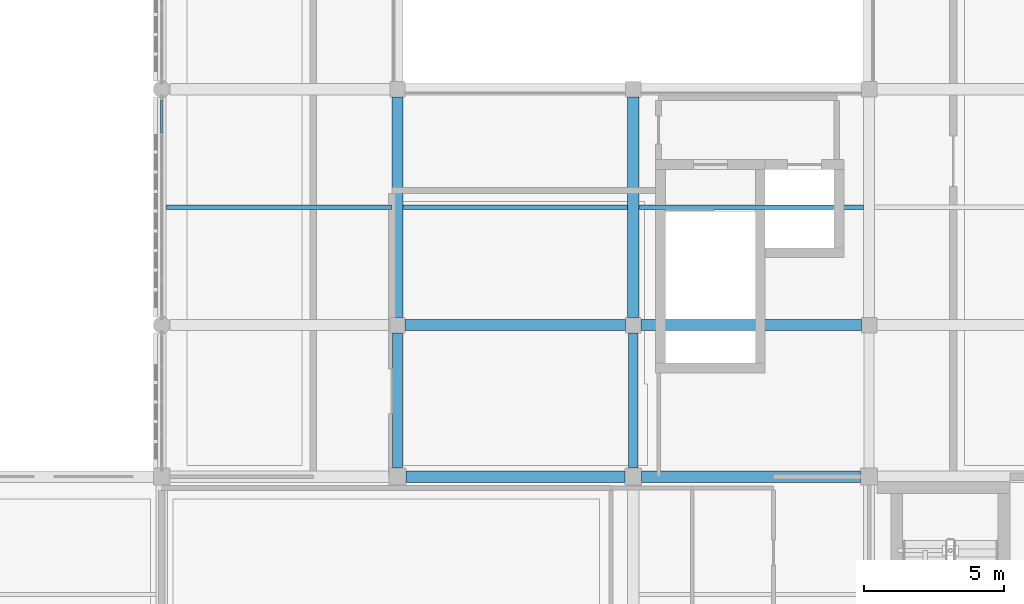
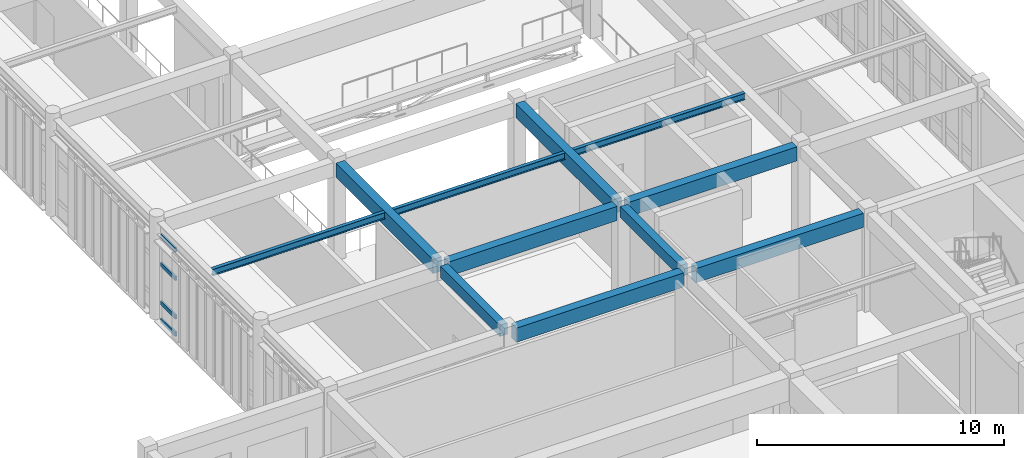
# One storey, part 13 of 77: 11 beams, 4 members, 1 element without a shape of its own.
"""IFC4 building model written with IfcOpenShell, lengths in metres."""

from ifc_helpers import new_model, si_unit, direction, frame, origin, origin_2d, place, context, subcontext, project, spatial, rectangle, hollow_rectangle, i_section, extrude, material, layer, layer_set, material_profile, profile_set, type_object, element, aggregate, save


model = new_model("IFC4")

# Units and contexts
model_context = context("Model", 3, precision=1e-05, world=origin(), true_north=direction((0.0, 1.0)))
body_context = subcontext(model_context, "Body", "Model", "MODEL_VIEW")
ifc_project = project(units=[si_unit("LENGTHUNIT", "METRE"), si_unit("AREAUNIT", "SQUARE_METRE"), si_unit("VOLUMEUNIT", "CUBIC_METRE"), si_unit("PLANEANGLEUNIT", "RADIAN"), si_unit("MASSUNIT", "GRAM", prefix="KILO")], contexts=[model_context])

# Site, building, storey
site_placement = place(None, origin())
site = spatial("IfcSite", under=ifc_project, at=site_placement, CompositionType="ELEMENT")
building_placement = place(site_placement, origin())
building = spatial("IfcBuilding", under=site, at=building_placement, Name="Krzemoval Escarpment Law Courts", CompositionType="ELEMENT")
storey_placement = place(building_placement, frame((0.0, 0.0, 15.300048828125)))
storey = spatial("IfcBuildingStorey", under=building, at=storey_placement, Name="L03", CompositionType="ELEMENT", Elevation=15.300048828125)

# Beams
ifc_material_1 = material(Name="Concrete C40/50", Category="concrete")
ifc_material_profile_1 = material_profile(ifc_material_1, rectangle(XDim=0.35009765625, YDim=0.550048828125, at=origin_2d()), Name="RCB 350x550")
ifc_profile_set_1 = profile_set([ifc_material_profile_1], Name="Concrete C40/50")
beam_type_1 = type_object("IfcBeamType", Name="BM-RC-350x550", PredefinedType="BEAM", material=ifc_profile_set_1)
for number, where, z_axis, x_axis, name in (
    (1, (16.800048828125, 35.699951171875, 4.56494140625), (0.0, 1.0, 0.0), (-1.0, 0.0, 0.0), "Beam FG-L03-2231"),
    (2, (25.199951171875, 35.699951171875, 4.56494140625), (0.0, 1.0, 0.0), (-1.0, 0.0, 0.0), "Beam FG-L03-2243"),
):
    element("IfcBeam", number, at=place(storey_placement, frame(where, z_axis=z_axis, x_axis=x_axis)), inside=storey, type_object=beam_type_1, Name=name, PredefinedType="BEAM", context=body_context, shape_type="SweptSolid", body=[
        extrude(rectangle(XDim=0.35009765625, YDim=0.550048828125, at=origin_2d()), origin(), (0.0, 0.0, 1.0), 4.824951171875),
    ])
ifc_material_2 = material(Name="Concrete C40/50", Category="concrete")
ifc_material_profile_2 = material_profile(ifc_material_2, rectangle(XDim=0.39990234375, YDim=0.699951171875, at=origin_2d()), Name="RCB 400x700")
ifc_profile_set_2 = profile_set([ifc_material_profile_2], Name="Concrete C40/50")
beam_type_2 = type_object("IfcBeamType", Name="BM-RC-400x700", PredefinedType="BEAM", material=ifc_profile_set_2)
beam_1_placement = place(storey_placement, frame((17.10009765625, 35.39990234375, 4.489990234375), z_axis=(1.0, 0.0, 0.0), x_axis=(0.0, 1.0, 0.0)))
element("IfcBeam", 3, at=beam_1_placement, inside=storey, type_object=beam_type_2, Name="Beam FG-L03-2135", PredefinedType="BEAM", context=body_context, shape_type="SweptSolid", body=[
    extrude(rectangle(XDim=0.39990234375, YDim=0.699951171875, at=origin_2d()), origin(), (0.0, 0.0, 1.0), 7.7998046875),
])
beam_2_placement = place(storey_placement, frame((25.5, 35.39990234375, 4.489990234375), z_axis=(1.0, 0.0, 0.0), x_axis=(0.0, 1.0, 0.0)))
element("IfcBeam", 4, at=beam_2_placement, inside=storey, type_object=beam_type_2, Name="Beam FG-L03-2136", PredefinedType="BEAM", context=body_context, shape_type="SweptSolid", body=[
    extrude(rectangle(XDim=0.39990234375, YDim=0.699951171875, at=origin_2d()), origin(), (0.0, 0.0, 1.0), 7.800048828125),
])
beam_3_placement = place(storey_placement, frame((17.074951171875, 40.800048828125, 4.489990234375), z_axis=(1.0, 0.0, 0.0), x_axis=(0.0, 1.0, 0.0)))
element("IfcBeam", 5, at=beam_3_placement, inside=storey, type_object=beam_type_2, Name="Beam FG-L03-2150", PredefinedType="BEAM", context=body_context, shape_type="SweptSolid", body=[
    extrude(rectangle(XDim=0.39990234375, YDim=0.699951171875, at=origin_2d()), origin(), (0.0, 0.0, 1.0), 7.85009765625),
])
beam_4_placement = place(storey_placement, frame((25.47509765625, 40.800048828125, 4.489990234375), z_axis=(1.0, 0.0, 0.0), x_axis=(0.0, 1.0, 0.0)))
element("IfcBeam", 6, at=beam_4_placement, inside=storey, type_object=beam_type_2, Name="Beam FG-L03-2151", PredefinedType="BEAM", context=body_context, shape_type="SweptSolid", body=[
    extrude(rectangle(XDim=0.39990234375, YDim=0.699951171875, at=origin_2d()), origin(), (0.0, 0.0, 1.0), 7.849853515625),
])
for number, where, z_axis, x_axis, name in (
    (7, (16.800048828125, 41.074951171875, 4.489990234375), (0.0, 1.0, 0.0), (-1.0, 0.0, 0.0), "Beam FG-L03-2232"),
    (8, (25.199951171875, 41.074951171875, 4.489990234375), (0.0, 1.0, 0.0), (-1.0, 0.0, 0.0), "Beam FG-L03-2244"),
):
    element("IfcBeam", number, at=place(storey_placement, frame(where, z_axis=z_axis, x_axis=x_axis)), inside=storey, type_object=beam_type_2, Name=name, PredefinedType="BEAM", context=body_context, shape_type="SweptSolid", body=[
        extrude(rectangle(XDim=0.39990234375, YDim=0.699951171875, at=origin_2d()), origin(), (0.0, 0.0, 1.0), 7.85009765625),
    ])

# Curtain wall, members
ifc_material_3 = material(Name="Aluminium 6063-T6", Category="aluminium")
ifc_layer = layer(ifc_material_3, 0.280029296875)
ifc_layer_set = layer_set([ifc_layer], Name="Aluminium 6063-T6")
curtain_wall_type = type_object("IfcCurtainWallType", Name="CW-HALL-5100", PredefinedType="USERDEFINED", material=ifc_layer_set)
curtain_wall_placement = place(storey_placement, origin())
curtain_wall = element("IfcCurtainWall", 9, at=curtain_wall_placement, inside=storey, type_object=curtain_wall_type, Name="Unitised Curtain Wall FCW-L03-097", ObjectType="UNITISED_CURTAIN_WALL", PredefinedType="USERDEFINED")
ifc_material_4 = material(Name="Aluminium 6063-T6", Category="aluminium")
ifc_material_profile_3 = material_profile(ifc_material_4, hollow_rectangle(XDim=0.0849609375, YDim=0.2099609375, WallThickness=0.005615234375, at=origin_2d()), Name="ALU T85x210")
ifc_profile_set_3 = profile_set([ifc_material_profile_3], Name="Aluminium 6063-T6")
member_type = type_object("IfcMemberType", Name="CWT-85x210", PredefinedType="USERDEFINED", material=ifc_profile_set_3)
member_1_placement = place(storey_placement, frame((8.39990234375, 47.642578125, 0.04248046875), z_axis=(0.0, 1.0, 0.0), x_axis=(-1.0, 0.0, 0.0)))
member_1 = element("IfcMember", 10, at=member_1_placement, type_object=member_type, Name="FCW-L03-097 transom 6.1", ObjectType="TRANSOM", PredefinedType="USERDEFINED", context=body_context, shape_type="SweptSolid", body=[
    extrude(hollow_rectangle(XDim=0.0849609375, YDim=0.2099609375, WallThickness=0.005615234375, at=origin_2d()), origin(), (0.0, 0.0, 1.0), 1.17236328125),
])
member_2_placement = place(storey_placement, frame((8.39990234375, 47.642578125, 0.89990234375), z_axis=(0.0, 1.0, 0.0), x_axis=(-1.0, 0.0, 0.0)))
member_2 = element("IfcMember", 11, at=member_2_placement, type_object=member_type, Name="FCW-L03-097 transom 6.2", ObjectType="TRANSOM", PredefinedType="USERDEFINED", context=body_context, shape_type="SweptSolid", body=[
    extrude(hollow_rectangle(XDim=0.0849609375, YDim=0.2099609375, WallThickness=0.005615234375, at=origin_2d()), origin(), (0.0, 0.0, 1.0), 1.17236328125),
])
member_3_placement = place(storey_placement, frame((8.39990234375, 47.642578125, 2.800048828125), z_axis=(0.0, 1.0, 0.0), x_axis=(-1.0, 0.0, 0.0)))
member_3 = element("IfcMember", 12, at=member_3_placement, type_object=member_type, Name="FCW-L03-097 transom 6.3", ObjectType="TRANSOM", PredefinedType="USERDEFINED", context=body_context, shape_type="SweptSolid", body=[
    extrude(hollow_rectangle(XDim=0.0849609375, YDim=0.2099609375, WallThickness=0.005615234375, at=origin_2d()), origin(), (0.0, 0.0, 1.0), 1.17236328125),
])
member_4_placement = place(storey_placement, frame((8.39990234375, 47.642578125, 4.197509765625), z_axis=(0.0, 1.0, 0.0), x_axis=(-1.0, 0.0, 0.0)))
member_4 = element("IfcMember", 13, at=member_4_placement, type_object=member_type, Name="FCW-L03-097 transom 6.4", ObjectType="TRANSOM", PredefinedType="USERDEFINED", context=body_context, shape_type="SweptSolid", body=[
    extrude(hollow_rectangle(XDim=0.0849609375, YDim=0.2099609375, WallThickness=0.005615234375, at=origin_2d()), origin(), (0.0, 0.0, 1.0), 1.17236328125),
])
aggregate(curtain_wall, [member_1, member_2, member_3, member_4])

# Beams
ifc_material_5 = material(Name="Steel S355", Category="steel")
ifc_material_profile_4 = material_profile(ifc_material_5, i_section(OverallWidth=0.159912109375, OverallDepth=0.330078125, WebThickness=0.007568359375, FlangeThickness=0.011474609375, at=origin_2d()), Name="IPE 330")
ifc_profile_set_4 = profile_set([ifc_material_profile_4], Name="Steel S355")
beam_type_3 = type_object("IfcBeamType", Name="JST-S355-IPE330", PredefinedType="JOIST", material=ifc_profile_set_4)
beam_5_placement = place(storey_placement, frame((8.550048828125, 45.0, 4.675048828125), z_axis=(1.0, 0.0, 0.0), x_axis=(0.0, 1.0, 0.0)))
element("IfcBeam", 14, at=beam_5_placement, inside=storey, type_object=beam_type_3, Name="Secondary Joist FJ-L03-2362", PredefinedType="JOIST", context=body_context, shape_type="SweptSolid", body=[
    extrude(i_section(OverallWidth=0.159912109375, OverallDepth=0.330078125, WebThickness=0.007568359375, FlangeThickness=0.011474609375, at=origin_2d()), origin(), (0.0, 0.0, 1.0), 8.050048828125),
])
for number, where, z_axis, x_axis, name in (
    (15, (17.0, 45.0, 4.675048828125), (1.0, 0.0, 0.0), (0.0, 1.0, 0.0), "Secondary Joist FJ-L03-2367"),
    (16, (25.39990234375, 45.0, 4.675048828125), (1.0, 0.0, 0.0), (0.0, 1.0, 0.0), "Secondary Joist FJ-L03-2369"),
):
    element("IfcBeam", number, at=place(storey_placement, frame(where, z_axis=z_axis, x_axis=x_axis)), inside=storey, type_object=beam_type_3, Name=name, PredefinedType="JOIST", context=body_context, shape_type="SweptSolid", body=[
        extrude(i_section(OverallWidth=0.159912109375, OverallDepth=0.330078125, WebThickness=0.007568359375, FlangeThickness=0.011474609375, at=origin_2d()), origin(), (0.0, 0.0, 1.0), 8.0),
    ])

save(model, "model.ifc")
